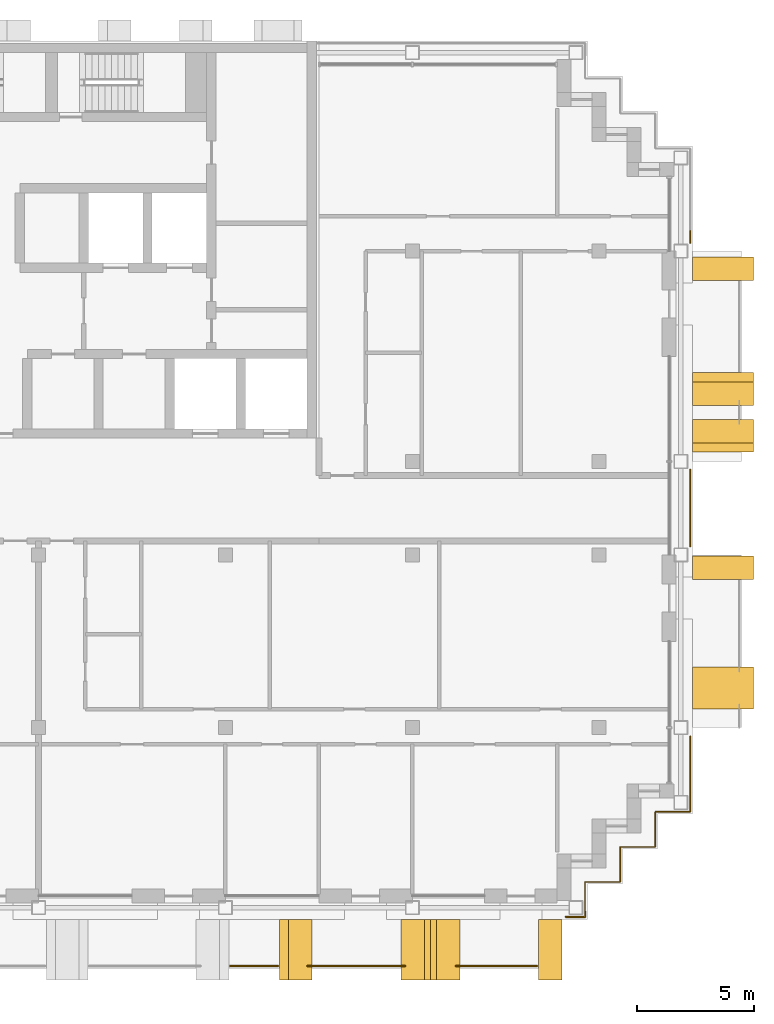
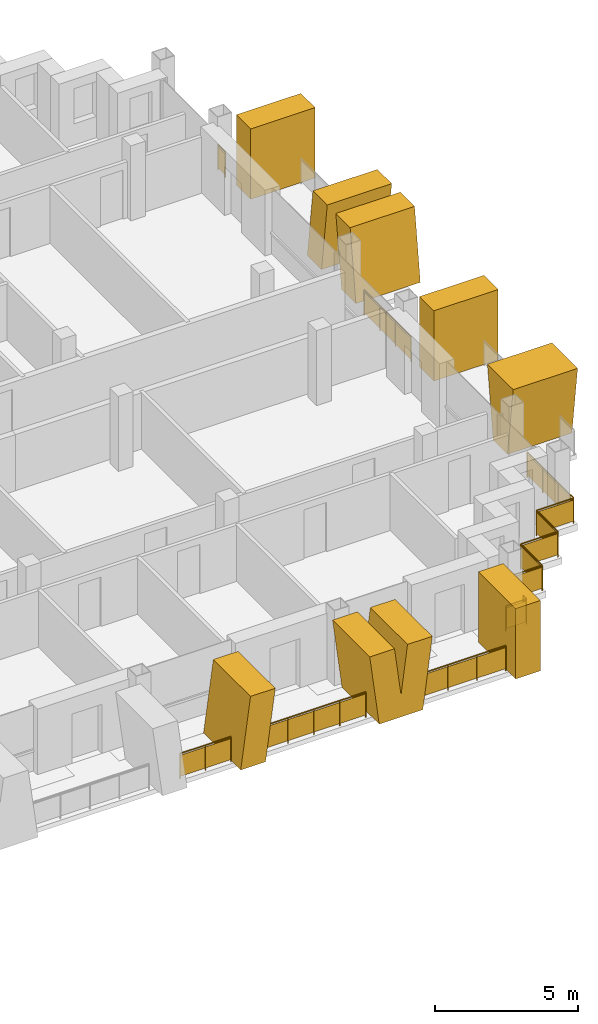
# One storey, part 13 of 15: 8 shading devices, 7 railings.
"""IFC4 building model written with IfcOpenShell, lengths in metres."""

import ifcopenshell
import ifcopenshell.guid

model = None  # the IFC model being written
_history = None  # IfcOwnerHistory: only IFC2X3 demands one
_inside = {}  # id of a spatial element -> (the spatial element, [elements in it])
_under = {}  # id of a project, library or spatial element -> (it, [spatial elements below it])
_declared = {}  # id of a project -> (the project, [libraries it declares])
_typed = {}  # id of a type object -> (the type object, [elements of that type])
_made_of = {}  # id of a material, layer set ... -> (it, [elements and type objects made of it])


def new_model(schema):
    """Start an empty IFC model of exactly this schema.

    Asked for "IFC4X3", IfcOpenShell would pick the latest addendum, in which some entities
    have other attributes; the version numbers below select the first issue.
    IFC2X3 requires an IfcOwnerHistory on every rooted entity: one is made here for all.
    """
    global model, _history
    if schema == "IFC4X3":
        model = ifcopenshell.file(schema_version=(4, 3, 0, 0))
    else:
        model = ifcopenshell.file(schema=schema)
    _inside.clear()
    _under.clear()
    _declared.clear()
    _typed.clear()
    _made_of.clear()
    _history = None
    if model.schema == "IFC2X3":
        org = make("IfcOrganization", Name="unknown")
        user = make(
            "IfcPersonAndOrganization",
            ThePerson=make("IfcPerson", FamilyName="unknown"),
            TheOrganization=org,
        )
        app = make(
            "IfcApplication",
            ApplicationDeveloper=org,
            Version="unknown",
            ApplicationFullName="unknown",
            ApplicationIdentifier="unknown",
        )
        _history = make(
            "IfcOwnerHistory",
            OwningUser=user,
            OwningApplication=app,
            ChangeAction="ADDED",
            CreationDate=0,
        )
    return model


def make(cls, **values):
    """One entity of the class cls with the attributes given. An attribute that is None is left unset."""
    return model.create_entity(
        cls, **{name: value for name, value in values.items() if value is not None}
    )


def rooted(cls, **values):
    """An entity with a GlobalId (a new one), such as an element, a storey or a relation."""
    return make(cls, GlobalId=ifcopenshell.guid.new(), OwnerHistory=_history, **values)


def si_unit(unit_type, name, prefix=None):
    """IfcSIUnit, for example si_unit("LENGTHUNIT", "METRE", prefix="MILLI")."""
    return make("IfcSIUnit", UnitType=unit_type, Prefix=prefix, Name=name)


def assignment(units):
    """IfcUnitAssignment: the units of a project."""
    return None if units is None else make("IfcUnitAssignment", Units=units)


def point(xyz):
    """IfcCartesianPoint."""
    return None if xyz is None else make("IfcCartesianPoint", Coordinates=xyz)


def direction(xyz):
    """IfcDirection."""
    return None if xyz is None else make("IfcDirection", DirectionRatios=xyz)


def frame(location, z_axis=None, x_axis=None):
    """IfcAxis2Placement3D, a coordinate frame: its origin and axes. An axis left out is left unset."""
    return make(
        "IfcAxis2Placement3D",
        Location=point(location),
        Axis=direction(z_axis),
        RefDirection=direction(x_axis),
    )


def frame_2d(location, x_axis=None):
    """IfcAxis2Placement2D, a coordinate frame in the plane: its origin and x axis."""
    return make(
        "IfcAxis2Placement2D", Location=point(location), RefDirection=direction(x_axis)
    )


def origin():
    """The frame at (0, 0, 0) with its axes left unset."""
    return frame((0.0, 0.0, 0.0))


def origin_2d():
    """The frame at (0, 0) in the plane with its x axis left unset."""
    return frame_2d((0.0, 0.0))


def place(relative_to, where):
    """IfcLocalPlacement: puts the frame where relative to a parent placement (None: the world)."""
    return make(
        "IfcLocalPlacement", PlacementRelTo=relative_to, RelativePlacement=where
    )


def context(
    kind, dimensions, precision=None, world=None, true_north=None, identifier=None
):
    """IfcGeometricRepresentationContext, for example the 3D "Model" context."""
    return make(
        "IfcGeometricRepresentationContext",
        ContextIdentifier=identifier,
        ContextType=kind,
        CoordinateSpaceDimension=dimensions,
        Precision=precision,
        WorldCoordinateSystem=world,
        TrueNorth=true_north,
    )


def subcontext(parent, identifier, kind, view, scale=None):
    """IfcGeometricRepresentationSubContext, for example "Body" below "Model"."""
    return make(
        "IfcGeometricRepresentationSubContext",
        ContextIdentifier=identifier,
        ContextType=kind,
        ParentContext=parent,
        TargetScale=scale,
        TargetView=view,
    )


def project(units=None, contexts=None):
    """IfcProject with its units and contexts."""
    return rooted(
        "IfcProject",
        Name="project",
        RepresentationContexts=contexts,
        UnitsInContext=assignment(units),
    )


def spatial(cls, under=None, at=None, **own):
    """A site, building, storey or space (cls), placed at a placement, below another one or the project."""
    s = rooted(cls, ObjectPlacement=at, **own)
    if under is not None:
        _under.setdefault(under.id(), (under, []))[1].append(s)
    return s


def polyline(points):
    """IfcPolyline through the points."""
    return make("IfcPolyline", Points=[point(p) for p in points])


def profile(cls, at=None, kind="AREA", **sizes):
    """A parametric profile (cls). Its sizes go by their IFC names, for example OverallWidth=200.0."""
    return make(cls, ProfileType=kind, Position=at, **sizes)


def rectangle(**sizes):
    """IfcRectangleProfileDef."""
    return profile("IfcRectangleProfileDef", **sizes)


def circle(**sizes):
    """IfcCircleProfileDef."""
    return profile("IfcCircleProfileDef", **sizes)


def outline(outer, holes=None, kind="AREA"):
    """IfcArbitraryClosedProfileDef: a profile drawn as a closed curve; with holes, ...WithVoids."""
    if holes is None:
        return make("IfcArbitraryClosedProfileDef", ProfileType=kind, OuterCurve=outer)
    return make(
        "IfcArbitraryProfileDefWithVoids",
        ProfileType=kind,
        OuterCurve=outer,
        InnerCurves=holes,
    )


def extrude(swept, where, along, depth):
    """IfcExtrudedAreaSolid: the profile swept, set in the frame where, extruded along a direction by depth."""
    return make(
        "IfcExtrudedAreaSolid",
        SweptArea=swept,
        Position=where,
        ExtrudedDirection=direction(along),
        Depth=depth,
    )


def shape(context_of_items, identifier, shape_type, items):
    """IfcShapeRepresentation: the items that make up one representation, for example the "Body"."""
    return make(
        "IfcShapeRepresentation",
        ContextOfItems=context_of_items,
        RepresentationIdentifier=identifier,
        RepresentationType=shape_type,
        Items=items,
    )


def material(Name=None, Category=None):
    """IfcMaterial."""
    return make("IfcMaterial", Name=Name, Category=Category)


def layer(
    of_material, thickness, ventilated=None, Name=None, Category=None, Priority=None
):
    """IfcMaterialLayer: one layer of a wall or slab, of a material (None: an air gap)."""
    return make(
        "IfcMaterialLayer",
        Material=of_material,
        LayerThickness=thickness,
        IsVentilated=ventilated,
        Name=Name,
        Category=Category,
        Priority=Priority,
    )


def layer_set(layers, Name=None):
    """IfcMaterialLayerSet."""
    return make("IfcMaterialLayerSet", MaterialLayers=layers, LayerSetName=Name)


def made_of(thing, what):
    """Note that an element or type object is made of a material, layer set ...; save() writes the relation."""
    if what is not None:
        _made_of.setdefault(what.id(), (what, []))[1].append(thing)
    return thing


def type_object(cls, material=None, **own):
    """A type object (cls), such as IfcWallType, which elements share."""
    return made_of(rooted(cls, **own), material)


def element(
    cls,
    number,
    at=None,
    inside=None,
    cuts=None,
    type_object=None,
    material=None,
    context=None,
    identifier="Body",
    shape_type=None,
    held_by="IfcProductDefinitionShape",
    body=None,
    shapes=None,
    **own,
):
    """One element of the class cls, such as IfcWall. Its Tag is "e" and its number.

    at: its placement. inside: the storey or other place that contains it. cuts: it is an
    opening in that element (IfcRelVoidsElement). A single representation is given by context,
    identifier, shape_type and body (its items); several are given by shapes. held_by: the class
    of the entity that holds the representations. save() writes the other relations.
    """
    e = rooted(cls, Tag="e%d" % number, ObjectPlacement=at, **own)
    if body is not None:
        shapes = [shape(context, identifier, shape_type, body)]
    if shapes is not None:
        e.Representation = make(held_by, Representations=shapes)
    if inside is not None:
        _inside.setdefault(inside.id(), (inside, []))[1].append(e)
    if cuts is not None:
        rooted(
            "IfcRelVoidsElement", RelatingBuildingElement=cuts, RelatedOpeningElement=e
        )
    if type_object is not None:
        _typed.setdefault(type_object.id(), (type_object, []))[1].append(e)
    return made_of(e, material)


def aggregate(whole, parts):
    """IfcRelAggregates: a whole, such as a stair, and the parts it consists of."""
    return rooted("IfcRelAggregates", RelatingObject=whole, RelatedObjects=parts)


def save(model, path):
    """Write the relations noted so far, then the file.

    IfcRelAggregates (storeys below a building ...), IfcRelContainedInSpatialStructure (elements
    in a storey), IfcRelDefinesByType, IfcRelAssociatesMaterial and IfcRelDeclares: one each for
    every whole, place, type object, material and project.
    """
    for whole, parts in _under.values():
        aggregate(whole, parts)
    for where, things in _inside.values():
        rooted(
            "IfcRelContainedInSpatialStructure",
            RelatedElements=things,
            RelatingStructure=where,
        )
    for kind, things in _typed.values():
        rooted("IfcRelDefinesByType", RelatedObjects=things, RelatingType=kind)
    for what, things in _made_of.values():
        rooted("IfcRelAssociatesMaterial", RelatedObjects=things, RelatingMaterial=what)
    for by, libraries in _declared.values():
        rooted("IfcRelDeclares", RelatingContext=by, RelatedDefinitions=libraries)
    model.write(path)


model = new_model("IFC4")

# Units and contexts
model_context = context("Model", 3, precision=1e-05, world=origin(), true_north=direction((0.0, 1.0)))
body_context = subcontext(model_context, "Body", "Model", "MODEL_VIEW")
ifc_project = project(units=[si_unit("LENGTHUNIT", "METRE"), si_unit("AREAUNIT", "SQUARE_METRE"), si_unit("VOLUMEUNIT", "CUBIC_METRE"), si_unit("PLANEANGLEUNIT", "RADIAN"), si_unit("MASSUNIT", "GRAM", prefix="KILO")], contexts=[model_context])

# Site, building, storey
site_placement = place(None, origin())
site = spatial("IfcSite", under=ifc_project, at=site_placement, CompositionType="ELEMENT")
building_placement = place(site_placement, origin())
building = spatial("IfcBuilding", under=site, at=building_placement, Name="Vidyagriha Tower", CompositionType="ELEMENT")
storey_placement = place(building_placement, frame((0.0, 0.0, 236.39990234375)))
storey = spatial("IfcBuildingStorey", under=building, at=storey_placement, Name="L62", CompositionType="ELEMENT", Elevation=236.39990234375)

# Railings
ifc_material_1 = material(Name="Steel ASTM A500 Grade C black painted", Category="steel")
railing_type_1 = type_object("IfcRailingType", Name="Balcony guard 1100", PredefinedType="BALUSTRADE", material=ifc_material_1)
railing_1_placement = place(storey_placement, frame((10.195068359375, -19.60009765625, 0.0)))
element("IfcRailing", 1, at=railing_1_placement, inside=storey, type_object=railing_type_1, Name="Balcony guard L62 R23.1-7", PredefinedType="BALUSTRADE", context=body_context, shape_type="SweptSolid", body=[
    extrude(circle(Radius=0.02490234375, at=origin_2d()), frame((0.0, 0.0, 1.0751953125), z_axis=(1.0, 0.0, 0.0), x_axis=(0.0, 1.0, 0.0)), (0.0, 0.0, 1.0), 2.059814453125),
    extrude(circle(Radius=0.02001953125, at=origin_2d()), origin(), (0.0, 0.0, 1.0), 1.050048828125),
    extrude(circle(Radius=0.02001953125, at=origin_2d()), frame((1.02978515625, 0.0, 0.0)), (0.0, 0.0, 1.0), 1.050048828125),
    extrude(circle(Radius=0.02001953125, at=origin_2d()), frame((2.059814453125, 0.0, 0.0)), (0.0, 0.0, 1.0), 1.050048828125),
    extrude(rectangle(XDim=0.010009765625, YDim=0.900146484375, at=origin_2d()), frame((0.0, 0.0, 0.550048828125), z_axis=(1.0, 0.0, 0.0), x_axis=(0.0, 1.0, 0.0)), (0.0, 0.0, 1.0), 2.059814453125),
])
railing_2_placement = place(storey_placement, frame((13.50634765625, -19.60009765625, 0.0)))
element("IfcRailing", 2, at=railing_2_placement, inside=storey, type_object=railing_type_1, Name="Balcony guard L62 R23.1-8", PredefinedType="BALUSTRADE", context=body_context, shape_type="SweptSolid", body=[
    extrude(circle(Radius=0.02490234375, at=origin_2d()), frame((0.0, 0.0, 1.0751953125), z_axis=(1.0, 0.0, 0.0), x_axis=(0.0, 1.0, 0.0)), (0.0, 0.0, 1.0), 4.19140625),
    extrude(circle(Radius=0.02001953125, at=origin_2d()), origin(), (0.0, 0.0, 1.0), 1.050048828125),
    extrude(circle(Radius=0.02001953125, at=origin_2d()), frame((1.0478515625, 0.0, 0.0)), (0.0, 0.0, 1.0), 1.050048828125),
    extrude(circle(Radius=0.02001953125, at=origin_2d()), frame((2.095703125, 0.0, 0.0)), (0.0, 0.0, 1.0), 1.050048828125),
    extrude(circle(Radius=0.02001953125, at=origin_2d()), frame((3.1435546875, 0.0, 0.0)), (0.0, 0.0, 1.0), 1.050048828125),
    extrude(circle(Radius=0.02001953125, at=origin_2d()), frame((4.19140625, 0.0, 0.0)), (0.0, 0.0, 1.0), 1.050048828125),
    extrude(rectangle(XDim=0.010009765625, YDim=0.900146484375, at=origin_2d()), frame((0.0, 0.0, 0.550048828125), z_axis=(1.0, 0.0, 0.0), x_axis=(0.0, 1.0, 0.0)), (0.0, 0.0, 1.0), 4.19140625),
])
railing_3_placement = place(storey_placement, frame((19.852294921875, -19.60009765625, 0.0)))
element("IfcRailing", 3, at=railing_3_placement, inside=storey, type_object=railing_type_1, Name="Balcony guard L62 R23.1-9", PredefinedType="BALUSTRADE", context=body_context, shape_type="SweptSolid", body=[
    extrude(circle(Radius=0.02490234375, at=origin_2d()), frame((0.0, 0.0, 1.0751953125), z_axis=(1.0, 0.0, 0.0), x_axis=(0.0, 1.0, 0.0)), (0.0, 0.0, 1.0), 3.497802734375),
    extrude(circle(Radius=0.02001953125, at=origin_2d()), origin(), (0.0, 0.0, 1.0), 1.050048828125),
    extrude(circle(Radius=0.02001953125, at=origin_2d()), frame((1.166015625, 0.0, 0.0)), (0.0, 0.0, 1.0), 1.050048828125),
    extrude(circle(Radius=0.02001953125, at=origin_2d()), frame((2.331787109375, 0.0, 0.0)), (0.0, 0.0, 1.0), 1.050048828125),
    extrude(circle(Radius=0.02001953125, at=origin_2d()), frame((3.497802734375, 0.0, 0.0)), (0.0, 0.0, 1.0), 1.050048828125),
    extrude(rectangle(XDim=0.010009765625, YDim=0.900146484375, at=origin_2d()), frame((0.0, 0.0, 0.550048828125), z_axis=(1.0, 0.0, 0.0), x_axis=(0.0, 1.0, 0.0)), (0.0, 0.0, 1.0), 3.497802734375),
])

# Shading devices
ifc_material_2 = material(Name="Precast concrete C40/50 with buff brick facing", Category="concrete")
ifc_layer_1 = layer(ifc_material_2, 1.0)
ifc_layer_set_1 = layer_set([ifc_layer_1], Name="Precast concrete C40/50 with buff brick facing")
shading_device_type_1 = type_object("IfcShadingDeviceType", Name="Brick-faced blade fin arm leaning 8 degrees", PredefinedType="USERDEFINED", material=ifc_layer_set_1)
shading_device_1_placement = place(storey_placement, frame((12.304931640625, -18.89990234375, 0.0)))
element("IfcShadingDevice", 4, at=shading_device_1_placement, inside=storey, type_object=shading_device_type_1, Name="Leaning blade fin L62 R23.3420a", ObjectType="BLADE FIN", PredefinedType="USERDEFINED", context=body_context, shape_type="SweptSolid", body=[
    extrude(outline(polyline([(0.0, 0.0), (1.0, 0.0), (1.39501953125, 3.0), (0.39501953125, 3.0), (0.0, 0.0)])), frame((0.0, 1.300048828125, 0.0), z_axis=(0.0, -1.0, 0.0), x_axis=(1.0, 0.0, 0.0)), (0.0, 0.0, 1.0), 2.60009765625),
])
shading_device_2_placement = place(storey_placement, frame((31.300048828125, 4.39990234375, 0.0), z_axis=(0.0, 0.0, 1.0), x_axis=(0.0, 1.0, 0.0)))
element("IfcShadingDevice", 5, at=shading_device_2_placement, inside=storey, type_object=shading_device_type_1, Name="Leaning blade fin L62 R30.1380a", ObjectType="BLADE FIN", PredefinedType="USERDEFINED", context=body_context, shape_type="SweptSolid", body=[
    extrude(outline(polyline([(0.39990234375, 0.0), (1.39990234375, 0.0), (1.0, 3.0), (0.0, 3.0), (0.39990234375, 0.0)])), frame((0.0, 1.300048828125, 0.0), z_axis=(0.0, -1.0, 0.0), x_axis=(1.0, 0.0, 0.0)), (0.0, 0.0, 1.0), 2.60009765625),
])
shading_device_3_placement = place(storey_placement, frame((31.300048828125, 2.39990234375, 0.0), z_axis=(0.0, 0.0, 1.0), x_axis=(0.0, 1.0, 0.0)))
element("IfcShadingDevice", 6, at=shading_device_3_placement, inside=storey, type_object=shading_device_type_1, Name="Leaning blade fin L62 R30.1380b", ObjectType="BLADE FIN", PredefinedType="USERDEFINED", context=body_context, shape_type="SweptSolid", body=[
    extrude(outline(polyline([(0.0, 0.0), (1.0, 0.0), (1.39990234375, 3.0), (0.39990234375, 3.0), (0.0, 0.0)])), frame((0.0, 1.300048828125, 0.0), z_axis=(0.0, -1.0, 0.0), x_axis=(1.0, 0.0, 0.0)), (0.0, 0.0, 1.0), 2.60009765625),
])
ifc_material_3 = material(Name="Precast concrete C40/50 with buff brick facing", Category="concrete")
ifc_layer_2 = layer(ifc_material_3, 1.0)
ifc_layer_set_2 = layer_set([ifc_layer_2], Name="Precast concrete C40/50 with buff brick facing")
shading_device_type_2 = type_object("IfcShadingDeviceType", Name="Brick-faced blade fin forking 8 degrees", PredefinedType="USERDEFINED", material=ifc_layer_set_2)
shading_device_4_placement = place(storey_placement, frame((17.512451171875, -18.89990234375, 0.0)))
element("IfcShadingDevice", 7, at=shading_device_4_placement, inside=storey, type_object=shading_device_type_2, Name="Forked blade fin L62 R23.4220a", ObjectType="BLADE FIN", PredefinedType="USERDEFINED", context=body_context, shape_type="SweptSolid", body=[
    extrude(outline(polyline([(0.38134765625, 0.0), (2.143798828125, 0.0), (2.52490234375, 3.0), (1.52490234375, 3.0), (1.262451171875, 0.9345703125), (1.0, 3.0), (0.0, 3.0), (0.38134765625, 0.0)])), frame((0.0, 1.300048828125, 0.0), z_axis=(0.0, -1.0, 0.0), x_axis=(1.0, 0.0, 0.0)), (0.0, 0.0, 1.0), 2.60009765625),
])
shading_device_5_placement = place(storey_placement, frame((31.300048828125, -8.60009765625, 0.0), z_axis=(0.0, 0.0, 1.0), x_axis=(0.0, 1.0, 0.0)))
element("IfcShadingDevice", 8, at=shading_device_5_placement, inside=storey, type_object=shading_device_type_2, Name="Forked blade fin L62 R30.240a", ObjectType="BLADE FIN", PredefinedType="USERDEFINED", context=body_context, shape_type="SweptSolid", body=[
    extrude(outline(polyline([(0.39990234375, 0.0), (1.39990234375, 0.0), (1.800048828125, 3.0), (0.0, 3.0), (0.39990234375, 0.0)])), frame((0.0, 1.300048828125, 0.0), z_axis=(0.0, -1.0, 0.0), x_axis=(1.0, 0.0, 0.0)), (0.0, 0.0, 1.0), 2.60009765625),
])
ifc_material_4 = material(Name="Precast concrete C40/50 with buff brick facing", Category="concrete")
ifc_layer_3 = layer(ifc_material_4, 1.0)
ifc_layer_set_3 = layer_set([ifc_layer_3], Name="Precast concrete C40/50 with buff brick facing")
shading_device_type_3 = type_object("IfcShadingDeviceType", Name="Brick-faced blade fin stem 1000", PredefinedType="USERDEFINED", material=ifc_layer_set_3)
shading_device_6_placement = place(storey_placement, frame((23.39990234375, -18.89990234375, 0.0)))
element("IfcShadingDevice", 9, at=shading_device_6_placement, inside=storey, type_object=shading_device_type_3, Name="Stem blade fin L62 R23.4840a", ObjectType="BLADE FIN", PredefinedType="USERDEFINED", context=body_context, shape_type="SweptSolid", body=[
    extrude(outline(polyline([(0.0, 0.0), (1.0, 0.0), (1.0, 3.0), (0.0, 3.0), (0.0, 0.0)])), frame((0.0, 1.300048828125, 0.0), z_axis=(0.0, -1.0, 0.0), x_axis=(1.0, 0.0, 0.0)), (0.0, 0.0, 1.0), 2.60009765625),
])
for number, where, z_axis, x_axis, name in (
    (10, (31.300048828125, -3.050048828125, 0.0), (0.0, 0.0, 1.0), (0.0, 1.0, 0.0), "Stem blade fin L62 R30.980a"),
    (11, (31.300048828125, 9.75, 0.0), (0.0, 0.0, 1.0), (0.0, 1.0, 0.0), "Stem blade fin L62 R30.2280a"),
):
    element("IfcShadingDevice", number, at=place(storey_placement, frame(where, z_axis=z_axis, x_axis=x_axis)), inside=storey, type_object=shading_device_type_3, Name=name, ObjectType="BLADE FIN", PredefinedType="USERDEFINED", context=body_context, shape_type="SweptSolid", body=[
        extrude(outline(polyline([(0.0, 0.0), (1.0, 0.0), (1.0, 3.0), (0.0, 3.0), (0.0, 0.0)])), frame((0.0, 1.300048828125, 0.0), z_axis=(0.0, -1.0, 0.0), x_axis=(1.0, 0.0, 0.0)), (0.0, 0.0, 1.0), 2.60009765625),
    ])

# Railings
ifc_material_5 = material(Name="Steel ASTM A500 Grade C black painted", Category="steel")
railing_type_2 = type_object("IfcRailingType", Name="Gallery guard 1100", PredefinedType="GUARDRAIL", material=ifc_material_5)
railing_4_placement = place(storey_placement, frame((29.89990234375, 11.8701171875, 0.0)))
element("IfcRailing", 12, at=railing_4_placement, inside=storey, type_object=railing_type_2, Name="Gallery guard L62 9", PredefinedType="GUARDRAIL", context=body_context, shape_type="SweptSolid", body=[
    extrude(circle(Radius=0.02490234375, at=origin_2d()), frame((0.0, 0.0, 1.0751953125), z_axis=(0.0, -1.0, 0.0), x_axis=(1.0, 0.0, 0.0)), (0.0, 0.0, 1.0), 0.510009765625),
    extrude(circle(Radius=0.02001953125, at=origin_2d()), origin(), (0.0, 0.0, 1.0), 1.050048828125),
    extrude(circle(Radius=0.02001953125, at=origin_2d()), frame((0.0, -0.510009765625, 0.0)), (0.0, 0.0, 1.0), 1.050048828125),
    extrude(rectangle(XDim=0.010009765625, YDim=0.900146484375, at=origin_2d()), frame((0.0, 0.0, 0.550048828125), z_axis=(0.0, -1.0, 0.0), x_axis=(1.0, 0.0, 0.0)), (0.0, 0.0, 1.0), 0.510009765625),
])
railing_5_placement = place(storey_placement, frame((29.89990234375, -9.760009765625, 0.0)))
element("IfcRailing", 13, at=railing_5_placement, inside=storey, type_object=railing_type_2, Name="Gallery guard L62 10", PredefinedType="GUARDRAIL", context=body_context, shape_type="SweptSolid", body=[
    extrude(circle(Radius=0.02490234375, at=origin_2d()), frame((0.0, 0.0, 1.0751953125), z_axis=(0.0, -1.0, 0.0), x_axis=(1.0, 0.0, 0.0)), (0.0, 0.0, 1.0), 3.239990234375),
    extrude(circle(Radius=0.02490234375, at=origin_2d()), frame((0.0, -3.239990234375, 1.0751953125), z_axis=(-1.0, 0.0, 0.0), x_axis=(0.0, -1.0, 0.0)), (0.0, 0.0, 1.0), 1.5),
    extrude(circle(Radius=0.02490234375, at=origin_2d()), frame((-1.5, -3.239990234375, 1.0751953125), z_axis=(0.0, -1.0, 0.0), x_axis=(1.0, 0.0, 0.0)), (0.0, 0.0, 1.0), 1.5),
    extrude(circle(Radius=0.02490234375, at=origin_2d()), frame((-1.5, -4.739990234375, 1.0751953125), z_axis=(-1.0, 0.0, 0.0), x_axis=(0.0, -1.0, 0.0)), (0.0, 0.0, 1.0), 1.5),
    extrude(circle(Radius=0.02490234375, at=origin_2d()), frame((-3.0, -4.739990234375, 1.0751953125), z_axis=(0.0, -1.0, 0.0), x_axis=(1.0, 0.0, 0.0)), (0.0, 0.0, 1.0), 1.5),
    extrude(circle(Radius=0.02490234375, at=origin_2d()), frame((-3.0, -6.239990234375, 1.0751953125), z_axis=(-1.0, 0.0, 0.0), x_axis=(0.0, -1.0, 0.0)), (0.0, 0.0, 1.0), 1.5),
    extrude(circle(Radius=0.02490234375, at=origin_2d()), frame((-4.5, -6.239990234375, 1.0751953125), z_axis=(0.0, -1.0, 0.0), x_axis=(1.0, 0.0, 0.0)), (0.0, 0.0, 1.0), 1.260009765625),
    extrude(circle(Radius=0.02001953125, at=origin_2d()), origin(), (0.0, 0.0, 1.0), 1.050048828125),
    extrude(circle(Radius=0.02001953125, at=origin_2d()), frame((0.0, -1.080078125, 0.0)), (0.0, 0.0, 1.0), 1.050048828125),
    extrude(circle(Radius=0.02001953125, at=origin_2d()), frame((0.0, -2.159912109375, 0.0)), (0.0, 0.0, 1.0), 1.050048828125),
    extrude(circle(Radius=0.02001953125, at=origin_2d()), frame((0.0, -3.239990234375, 0.0)), (0.0, 0.0, 1.0), 1.050048828125),
    extrude(circle(Radius=0.02001953125, at=origin_2d()), frame((-1.5, -3.239990234375, 0.0)), (0.0, 0.0, 1.0), 1.050048828125),
    extrude(circle(Radius=0.02001953125, at=origin_2d()), frame((-1.5, -4.739990234375, 0.0)), (0.0, 0.0, 1.0), 1.050048828125),
    extrude(circle(Radius=0.02001953125, at=origin_2d()), frame((-3.0, -4.739990234375, 0.0)), (0.0, 0.0, 1.0), 1.050048828125),
    extrude(circle(Radius=0.02001953125, at=origin_2d()), frame((-3.0, -6.239990234375, 0.0)), (0.0, 0.0, 1.0), 1.050048828125),
    extrude(circle(Radius=0.02001953125, at=origin_2d()), frame((-4.5, -6.239990234375, 0.0)), (0.0, 0.0, 1.0), 1.050048828125),
    extrude(circle(Radius=0.02001953125, at=origin_2d()), frame((-4.5, -7.5, 0.0)), (0.0, 0.0, 1.0), 1.050048828125),
    extrude(rectangle(XDim=0.010009765625, YDim=0.900146484375, at=origin_2d()), frame((0.0, 0.0, 0.550048828125), z_axis=(0.0, -1.0, 0.0), x_axis=(1.0, 0.0, 0.0)), (0.0, 0.0, 1.0), 3.239990234375),
    extrude(rectangle(XDim=0.010009765625, YDim=0.900146484375, at=origin_2d()), frame((0.0, -3.239990234375, 0.550048828125), z_axis=(-1.0, 0.0, 0.0), x_axis=(0.0, -1.0, 0.0)), (0.0, 0.0, 1.0), 1.5),
    extrude(rectangle(XDim=0.010009765625, YDim=0.900146484375, at=origin_2d()), frame((-1.5, -3.239990234375, 0.550048828125), z_axis=(0.0, -1.0, 0.0), x_axis=(1.0, 0.0, 0.0)), (0.0, 0.0, 1.0), 1.5),
    extrude(rectangle(XDim=0.010009765625, YDim=0.900146484375, at=origin_2d()), frame((-1.5, -4.739990234375, 0.550048828125), z_axis=(-1.0, 0.0, 0.0), x_axis=(0.0, -1.0, 0.0)), (0.0, 0.0, 1.0), 1.5),
    extrude(rectangle(XDim=0.010009765625, YDim=0.900146484375, at=origin_2d()), frame((-3.0, -4.739990234375, 0.550048828125), z_axis=(0.0, -1.0, 0.0), x_axis=(1.0, 0.0, 0.0)), (0.0, 0.0, 1.0), 1.5),
    extrude(rectangle(XDim=0.010009765625, YDim=0.900146484375, at=origin_2d()), frame((-3.0, -6.239990234375, 0.550048828125), z_axis=(-1.0, 0.0, 0.0), x_axis=(0.0, -1.0, 0.0)), (0.0, 0.0, 1.0), 1.5),
    extrude(rectangle(XDim=0.010009765625, YDim=0.900146484375, at=origin_2d()), frame((-4.5, -6.239990234375, 0.550048828125), z_axis=(0.0, -1.0, 0.0), x_axis=(1.0, 0.0, 0.0)), (0.0, 0.0, 1.0), 1.260009765625),
])
railing_6_placement = place(storey_placement, frame((25.39990234375, -17.260009765625, 0.0)))
element("IfcRailing", 14, at=railing_6_placement, inside=storey, type_object=railing_type_2, Name="Gallery guard L62 11", PredefinedType="GUARDRAIL", context=body_context, shape_type="SweptSolid", body=[
    extrude(circle(Radius=0.02490234375, at=origin_2d()), frame((0.0, 0.0, 1.0751953125), z_axis=(0.0, -1.0, 0.0), x_axis=(1.0, 0.0, 0.0)), (0.0, 0.0, 1.0), 0.239990234375),
    extrude(circle(Radius=0.02490234375, at=origin_2d()), frame((0.0, -0.239990234375, 1.0751953125), z_axis=(-1.0, 0.0, 0.0), x_axis=(0.0, -1.0, 0.0)), (0.0, 0.0, 1.0), 0.83984375),
    extrude(circle(Radius=0.02001953125, at=origin_2d()), origin(), (0.0, 0.0, 1.0), 1.050048828125),
    extrude(circle(Radius=0.02001953125, at=origin_2d()), frame((0.0, -0.239990234375, 0.0)), (0.0, 0.0, 1.0), 1.050048828125),
    extrude(circle(Radius=0.02001953125, at=origin_2d()), frame((-0.83984375, -0.239990234375, 0.0)), (0.0, 0.0, 1.0), 1.050048828125),
    extrude(rectangle(XDim=0.010009765625, YDim=0.900146484375, at=origin_2d()), frame((0.0, 0.0, 0.550048828125), z_axis=(0.0, -1.0, 0.0), x_axis=(1.0, 0.0, 0.0)), (0.0, 0.0, 1.0), 0.239990234375),
    extrude(rectangle(XDim=0.010009765625, YDim=0.900146484375, at=origin_2d()), frame((0.0, -0.239990234375, 0.550048828125), z_axis=(-1.0, 0.0, 0.0), x_axis=(0.0, -1.0, 0.0)), (0.0, 0.0, 1.0), 0.83984375),
])
railing_7_placement = place(storey_placement, frame((29.89990234375, 1.639892578125, 0.0)))
element("IfcRailing", 15, at=railing_7_placement, inside=storey, type_object=railing_type_2, Name="Gallery guard L62 12", PredefinedType="GUARDRAIL", context=body_context, shape_type="SweptSolid", body=[
    extrude(circle(Radius=0.02490234375, at=origin_2d()), frame((0.0, 0.0, 1.0751953125), z_axis=(0.0, -1.0, 0.0), x_axis=(1.0, 0.0, 0.0)), (0.0, 0.0, 1.0), 3.27978515625),
    extrude(circle(Radius=0.02001953125, at=origin_2d()), origin(), (0.0, 0.0, 1.0), 1.050048828125),
    extrude(circle(Radius=0.02001953125, at=origin_2d()), frame((0.0, -1.09326171875, 0.0)), (0.0, 0.0, 1.0), 1.050048828125),
    extrude(circle(Radius=0.02001953125, at=origin_2d()), frame((0.0, -2.1865234375, 0.0)), (0.0, 0.0, 1.0), 1.050048828125),
    extrude(circle(Radius=0.02001953125, at=origin_2d()), frame((0.0, -3.27978515625, 0.0)), (0.0, 0.0, 1.0), 1.050048828125),
    extrude(rectangle(XDim=0.010009765625, YDim=0.900146484375, at=origin_2d()), frame((0.0, 0.0, 0.550048828125), z_axis=(0.0, -1.0, 0.0), x_axis=(1.0, 0.0, 0.0)), (0.0, 0.0, 1.0), 3.27978515625),
])

save(model, "model.ifc")
